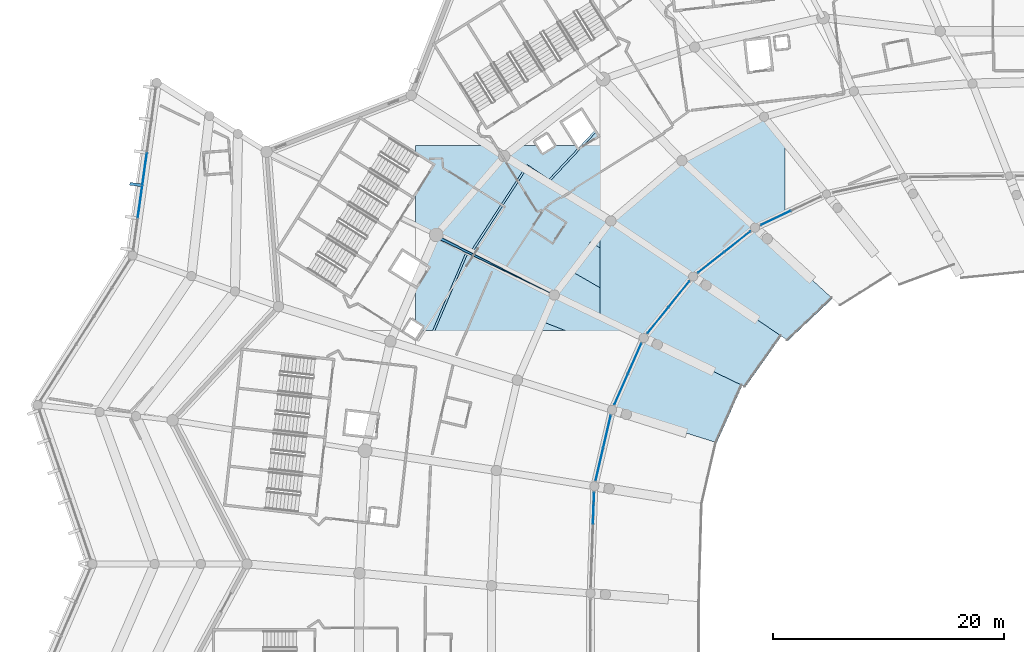
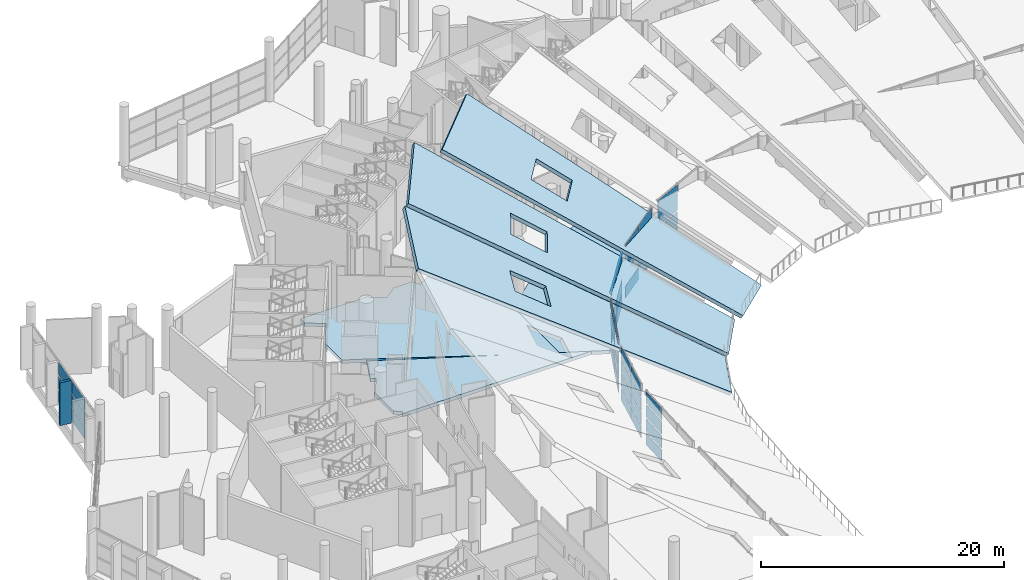
# One storey, part 121 of 249: 44 plates, 6 slabs, 7 elements without a shape of their own.
"""IFC4 building model written with IfcOpenShell, lengths in metres."""

from ifc_helpers import new_model, si_unit, direction, frame, origin, origin_2d, place, context, subcontext, project, spatial, polyline, rectangle, outline, extrude, material, layer, layer_set, type_object, element, aggregate, save


model = new_model("IFC4")

# Units and contexts
model_context = context("Model", 3, precision=1e-05, world=origin(), true_north=direction((0.0, 1.0)))
body_context = subcontext(model_context, "Body", "Model", "MODEL_VIEW")
ifc_project = project(units=[si_unit("LENGTHUNIT", "METRE"), si_unit("AREAUNIT", "SQUARE_METRE"), si_unit("VOLUMEUNIT", "CUBIC_METRE"), si_unit("PLANEANGLEUNIT", "RADIAN"), si_unit("MASSUNIT", "GRAM", prefix="KILO")], contexts=[model_context])

# Site, building, storey
site_placement = place(None, origin())
site = spatial("IfcSite", under=ifc_project, at=site_placement, CompositionType="ELEMENT")
building_placement = place(site_placement, origin())
building = spatial("IfcBuilding", under=site, at=building_placement, Name="Meseta Stadium", CompositionType="ELEMENT")
storey_placement = place(building_placement, frame((0.0, 0.0, 12.0)))
storey = spatial("IfcBuildingStorey", under=building, at=storey_placement, Name="L02", CompositionType="ELEMENT", Elevation=12.0)

# Curtain wall, plates
ifc_material_1 = material(Name="Aluminium", Category="aluminium")
ifc_layer_1 = layer(ifc_material_1, 0.199951171875)
ifc_layer_set_1 = layer_set([ifc_layer_1], Name="Suite glazing curtain wall")
curtain_wall_type_1 = type_object("IfcCurtainWallType", Name="Suite glazing curtain wall", PredefinedType="NOTDEFINED", material=ifc_layer_set_1)
curtain_wall_1_placement = place(storey_placement, origin())
curtain_wall_1 = element("IfcCurtainWall", 1, at=curtain_wall_1_placement, inside=storey, type_object=curtain_wall_type_1, Name="Suite glazing bay 23", PredefinedType="NOTDEFINED")
ifc_material_2 = material(Name="Glass", Category="glass")
ifc_layer_2 = layer(ifc_material_2, 0.035888671875)
ifc_layer_set_2 = layer_set([ifc_layer_2], Name="CW glass panel 36")
plate_type_1 = type_object("IfcPlateType", Name="CW glass panel 36", PredefinedType="CURTAIN_PANEL", material=ifc_layer_set_2)
plate_1_placement = place(storey_placement, frame((-48.77294921875, 73.737548828125, 0.14990234375), z_axis=(0.0, 0.0, 1.0), x_axis=(-0.904328409074, -0.426837356076, 0.0)))
plate_1 = element("IfcPlate", 2, at=plate_1_placement, type_object=plate_type_1, Name="CWS panel 2.1", PredefinedType="CURTAIN_PANEL", context=body_context, shape_type="SweptSolid", body=[
    extrude(rectangle(XDim=2.822509765625, YDim=0.035888671875, at=origin_2d()), origin(), (0.0, 0.0, 1.0), 1.1875),
])
plate_2_placement = place(storey_placement, frame((-48.77294921875, 73.737548828125, 1.4873046875), z_axis=(0.0, 0.0, 1.0), x_axis=(-0.904328409074, -0.426837356076, 0.0)))
plate_2 = element("IfcPlate", 3, at=plate_2_placement, type_object=plate_type_1, Name="CWS panel 2.2", PredefinedType="CURTAIN_PANEL", context=body_context, shape_type="SweptSolid", body=[
    extrude(rectangle(XDim=2.822509765625, YDim=0.035888671875, at=origin_2d()), origin(), (0.0, 0.0, 1.0), 1.262451171875),
])
plate_3_placement = place(storey_placement, frame((-48.77294921875, 73.737548828125, 2.89990234375), z_axis=(0.0, 0.0, 1.0), x_axis=(-0.904328409074, -0.426837356076, 0.0)))
plate_3 = element("IfcPlate", 4, at=plate_3_placement, type_object=plate_type_1, Name="CWS panel 2.3", PredefinedType="CURTAIN_PANEL", context=body_context, shape_type="SweptSolid", body=[
    extrude(rectangle(XDim=2.822509765625, YDim=0.035888671875, at=origin_2d()), origin(), (0.0, 0.0, 1.0), 2.60009765625),
])
aggregate(curtain_wall_1, [plate_1, plate_2, plate_3])

curtain_wall_2_placement = place(storey_placement, origin())
curtain_wall_2 = element("IfcCurtainWall", 5, at=curtain_wall_2_placement, inside=storey, type_object=curtain_wall_type_1, Name="Suite glazing bay 24", PredefinedType="NOTDEFINED")
plate_4_placement = place(storey_placement, frame((-52.11279296875, 71.67431640625, 0.14990234375), z_axis=(0.0, 0.0, 1.0), x_axis=(-0.785434917158, -0.61894425509, 0.0)))
plate_4 = element("IfcPlate", 6, at=plate_4_placement, type_object=plate_type_1, Name="CWS panel 1.1", PredefinedType="CURTAIN_PANEL", context=body_context, shape_type="SweptSolid", body=[
    extrude(rectangle(XDim=2.83349609375, YDim=0.035888671875, at=origin_2d()), origin(), (0.0, 0.0, 1.0), 1.1875),
])
plate_5_placement = place(storey_placement, frame((-52.11279296875, 71.67431640625, 1.4873046875), z_axis=(0.0, 0.0, 1.0), x_axis=(-0.785434917158, -0.61894425509, 0.0)))
plate_5 = element("IfcPlate", 7, at=plate_5_placement, type_object=plate_type_1, Name="CWS panel 1.2", PredefinedType="CURTAIN_PANEL", context=body_context, shape_type="SweptSolid", body=[
    extrude(rectangle(XDim=2.83349609375, YDim=0.035888671875, at=origin_2d()), origin(), (0.0, 0.0, 1.0), 1.262451171875),
])
plate_6_placement = place(storey_placement, frame((-52.11279296875, 71.67431640625, 2.89990234375), z_axis=(0.0, 0.0, 1.0), x_axis=(-0.785434917158, -0.61894425509, 0.0)))
plate_6 = element("IfcPlate", 8, at=plate_6_placement, type_object=plate_type_1, Name="CWS panel 1.3", PredefinedType="CURTAIN_PANEL", context=body_context, shape_type="SweptSolid", body=[
    extrude(rectangle(XDim=2.83349609375, YDim=0.035888671875, at=origin_2d()), origin(), (0.0, 0.0, 1.0), 2.60009765625),
])
plate_7_placement = place(storey_placement, frame((-54.385498046875, 69.88330078125, 0.14990234375), z_axis=(0.0, 0.0, 1.0), x_axis=(-0.785434917158, -0.61894425509, 0.0)))
plate_7 = element("IfcPlate", 9, at=plate_7_placement, type_object=plate_type_1, Name="CWS panel 2.1", PredefinedType="CURTAIN_PANEL", context=body_context, shape_type="SweptSolid", body=[
    extrude(rectangle(XDim=2.83349609375, YDim=0.035888671875, at=origin_2d()), origin(), (0.0, 0.0, 1.0), 1.1875),
])
plate_8_placement = place(storey_placement, frame((-54.385498046875, 69.88330078125, 1.4873046875), z_axis=(0.0, 0.0, 1.0), x_axis=(-0.785434917158, -0.61894425509, 0.0)))
plate_8 = element("IfcPlate", 10, at=plate_8_placement, type_object=plate_type_1, Name="CWS panel 2.2", PredefinedType="CURTAIN_PANEL", context=body_context, shape_type="SweptSolid", body=[
    extrude(rectangle(XDim=2.83349609375, YDim=0.035888671875, at=origin_2d()), origin(), (0.0, 0.0, 1.0), 1.262451171875),
])
plate_9_placement = place(storey_placement, frame((-54.385498046875, 69.88330078125, 2.89990234375), z_axis=(0.0, 0.0, 1.0), x_axis=(-0.785434917158, -0.61894425509, 0.0)))
plate_9 = element("IfcPlate", 11, at=plate_9_placement, type_object=plate_type_1, Name="CWS panel 2.3", PredefinedType="CURTAIN_PANEL", context=body_context, shape_type="SweptSolid", body=[
    extrude(rectangle(XDim=2.83349609375, YDim=0.035888671875, at=origin_2d()), origin(), (0.0, 0.0, 1.0), 2.60009765625),
])
aggregate(curtain_wall_2, [plate_4, plate_5, plate_6, plate_7, plate_8, plate_9])

curtain_wall_3_placement = place(storey_placement, origin())
curtain_wall_3 = element("IfcCurtainWall", 12, at=curtain_wall_3_placement, inside=storey, type_object=curtain_wall_type_1, Name="Suite glazing bay 25", PredefinedType="NOTDEFINED")
plate_10_placement = place(storey_placement, frame((-57.1689453125, 67.12939453125, 0.14990234375), z_axis=(0.0, 0.0, 1.0), x_axis=(-0.626460054791, -0.779453526357, 0.0)))
plate_10 = element("IfcPlate", 13, at=plate_10_placement, type_object=plate_type_1, Name="CWS panel 1.1", PredefinedType="CURTAIN_PANEL", context=body_context, shape_type="SweptSolid", body=[
    extrude(rectangle(XDim=2.84130859375, YDim=0.035888671875, at=origin_2d()), origin(), (0.0, 0.0, 1.0), 1.1875),
])
plate_11_placement = place(storey_placement, frame((-57.1689453125, 67.12939453125, 1.4873046875), z_axis=(0.0, 0.0, 1.0), x_axis=(-0.626460054791, -0.779453526357, 0.0)))
plate_11 = element("IfcPlate", 14, at=plate_11_placement, type_object=plate_type_1, Name="CWS panel 1.2", PredefinedType="CURTAIN_PANEL", context=body_context, shape_type="SweptSolid", body=[
    extrude(rectangle(XDim=2.84130859375, YDim=0.035888671875, at=origin_2d()), origin(), (0.0, 0.0, 1.0), 1.262451171875),
])
plate_12_placement = place(storey_placement, frame((-57.1689453125, 67.12939453125, 2.89990234375), z_axis=(0.0, 0.0, 1.0), x_axis=(-0.626460054791, -0.779453526357, 0.0)))
plate_12 = element("IfcPlate", 15, at=plate_12_placement, type_object=plate_type_1, Name="CWS panel 1.3", PredefinedType="CURTAIN_PANEL", context=body_context, shape_type="SweptSolid", body=[
    extrude(rectangle(XDim=2.84130859375, YDim=0.035888671875, at=origin_2d()), origin(), (0.0, 0.0, 1.0), 2.332275390625),
])
plate_13_placement = place(storey_placement, frame((-57.1689453125, 67.12939453125, 5.38232421875), z_axis=(0.0, 0.0, 1.0), x_axis=(-0.626460054791, -0.779453526357, 0.0)))
plate_13 = element("IfcPlate", 16, at=plate_13_placement, type_object=plate_type_1, Name="CWS panel 1.4", PredefinedType="CURTAIN_PANEL", context=body_context, shape_type="SweptSolid", body=[
    extrude(rectangle(XDim=2.84130859375, YDim=0.035888671875, at=origin_2d()), origin(), (0.0, 0.0, 1.0), 0.11767578125),
])
plate_14_placement = place(storey_placement, frame((-58.986572265625, 64.867919921875, 0.14990234375), z_axis=(0.0, 0.0, 1.0), x_axis=(-0.626460054791, -0.779453526357, 0.0)))
plate_14 = element("IfcPlate", 17, at=plate_14_placement, type_object=plate_type_1, Name="CWS panel 2.1", PredefinedType="CURTAIN_PANEL", context=body_context, shape_type="SweptSolid", body=[
    extrude(rectangle(XDim=2.84130859375, YDim=0.035888671875, at=origin_2d()), origin(), (0.0, 0.0, 1.0), 1.1875),
])
plate_15_placement = place(storey_placement, frame((-58.986572265625, 64.867919921875, 1.4873046875), z_axis=(0.0, 0.0, 1.0), x_axis=(-0.626460054791, -0.779453526357, 0.0)))
plate_15 = element("IfcPlate", 18, at=plate_15_placement, type_object=plate_type_1, Name="CWS panel 2.2", PredefinedType="CURTAIN_PANEL", context=body_context, shape_type="SweptSolid", body=[
    extrude(rectangle(XDim=2.84130859375, YDim=0.035888671875, at=origin_2d()), origin(), (0.0, 0.0, 1.0), 1.262451171875),
])
plate_16_placement = place(storey_placement, frame((-58.986572265625, 64.867919921875, 2.89990234375), z_axis=(0.0, 0.0, 1.0), x_axis=(-0.626460054791, -0.779453526357, 0.0)))
plate_16 = element("IfcPlate", 19, at=plate_16_placement, type_object=plate_type_1, Name="CWS panel 2.3", PredefinedType="CURTAIN_PANEL", context=body_context, shape_type="SweptSolid", body=[
    extrude(rectangle(XDim=2.84130859375, YDim=0.035888671875, at=origin_2d()), origin(), (0.0, 0.0, 1.0), 2.332275390625),
])
plate_17_placement = place(storey_placement, frame((-58.986572265625, 64.867919921875, 5.38232421875), z_axis=(0.0, 0.0, 1.0), x_axis=(-0.626460054791, -0.779453526357, 0.0)))
plate_17 = element("IfcPlate", 20, at=plate_17_placement, type_object=plate_type_1, Name="CWS panel 2.4", PredefinedType="CURTAIN_PANEL", context=body_context, shape_type="SweptSolid", body=[
    extrude(rectangle(XDim=2.84130859375, YDim=0.035888671875, at=origin_2d()), origin(), (0.0, 0.0, 1.0), 0.11767578125),
])
aggregate(curtain_wall_3, [plate_10, plate_11, plate_12, plate_13, plate_14, plate_15, plate_16, plate_17])

curtain_wall_4_placement = place(storey_placement, origin())
curtain_wall_4 = element("IfcCurtainWall", 21, at=curtain_wall_4_placement, inside=storey, type_object=curtain_wall_type_1, Name="Suite glazing bay 26", PredefinedType="NOTDEFINED")
plate_18_placement = place(storey_placement, frame((-61.009765625, 61.54150390625, 0.14990234375), z_axis=(0.0, 0.0, 1.0), x_axis=(-0.402983317466, -0.915207323968, 0.0)))
plate_18 = element("IfcPlate", 22, at=plate_18_placement, type_object=plate_type_1, Name="CWS panel 1.1", PredefinedType="CURTAIN_PANEL", context=body_context, shape_type="SweptSolid", body=[
    extrude(rectangle(XDim=2.8310546875, YDim=0.035888671875, at=origin_2d()), origin(), (0.0, 0.0, 1.0), 1.1875),
])
plate_19_placement = place(storey_placement, frame((-61.009765625, 61.54150390625, 1.4873046875), z_axis=(0.0, 0.0, 1.0), x_axis=(-0.402983317466, -0.915207323968, 0.0)))
plate_19 = element("IfcPlate", 23, at=plate_19_placement, type_object=plate_type_1, Name="CWS panel 1.2", PredefinedType="CURTAIN_PANEL", context=body_context, shape_type="SweptSolid", body=[
    extrude(rectangle(XDim=2.8310546875, YDim=0.035888671875, at=origin_2d()), origin(), (0.0, 0.0, 1.0), 1.262451171875),
])
plate_20_placement = place(storey_placement, frame((-61.009765625, 61.54150390625, 2.89990234375), z_axis=(0.0, 0.0, 1.0), x_axis=(-0.402983317466, -0.915207323968, 0.0)))
plate_20 = element("IfcPlate", 24, at=plate_20_placement, type_object=plate_type_1, Name="CWS panel 1.3", PredefinedType="CURTAIN_PANEL", context=body_context, shape_type="SweptSolid", body=[
    extrude(rectangle(XDim=2.8310546875, YDim=0.035888671875, at=origin_2d()), origin(), (0.0, 0.0, 1.0), 1.262451171875),
])
plate_21_placement = place(storey_placement, frame((-61.009765625, 61.54150390625, 4.3125), z_axis=(0.0, 0.0, 1.0), x_axis=(-0.402983317466, -0.915207323968, 0.0)))
plate_21 = element("IfcPlate", 25, at=plate_21_placement, type_object=plate_type_1, Name="CWS panel 1.4", PredefinedType="CURTAIN_PANEL", context=body_context, shape_type="SweptSolid", body=[
    extrude(rectangle(XDim=2.8310546875, YDim=0.035888671875, at=origin_2d()), origin(), (0.0, 0.0, 1.0), 1.1875),
])
plate_22_placement = place(storey_placement, frame((-62.1748046875, 58.895751953125, 0.14990234375), z_axis=(0.0, 0.0, 1.0), x_axis=(-0.402983317466, -0.915207323968, 0.0)))
plate_22 = element("IfcPlate", 26, at=plate_22_placement, type_object=plate_type_1, Name="CWS panel 2.1", PredefinedType="CURTAIN_PANEL", context=body_context, shape_type="SweptSolid", body=[
    extrude(rectangle(XDim=2.8310546875, YDim=0.035888671875, at=origin_2d()), origin(), (0.0, 0.0, 1.0), 1.1875),
])
plate_23_placement = place(storey_placement, frame((-62.1748046875, 58.895751953125, 1.4873046875), z_axis=(0.0, 0.0, 1.0), x_axis=(-0.402983317466, -0.915207323968, 0.0)))
plate_23 = element("IfcPlate", 27, at=plate_23_placement, type_object=plate_type_1, Name="CWS panel 2.2", PredefinedType="CURTAIN_PANEL", context=body_context, shape_type="SweptSolid", body=[
    extrude(rectangle(XDim=2.8310546875, YDim=0.035888671875, at=origin_2d()), origin(), (0.0, 0.0, 1.0), 1.262451171875),
])
plate_24_placement = place(storey_placement, frame((-62.1748046875, 58.895751953125, 2.89990234375), z_axis=(0.0, 0.0, 1.0), x_axis=(-0.402983317466, -0.915207323968, 0.0)))
plate_24 = element("IfcPlate", 28, at=plate_24_placement, type_object=plate_type_1, Name="CWS panel 2.3", PredefinedType="CURTAIN_PANEL", context=body_context, shape_type="SweptSolid", body=[
    extrude(rectangle(XDim=2.8310546875, YDim=0.035888671875, at=origin_2d()), origin(), (0.0, 0.0, 1.0), 1.262451171875),
])
plate_25_placement = place(storey_placement, frame((-62.1748046875, 58.895751953125, 4.3125), z_axis=(0.0, 0.0, 1.0), x_axis=(-0.402983317466, -0.915207323968, 0.0)))
plate_25 = element("IfcPlate", 29, at=plate_25_placement, type_object=plate_type_1, Name="CWS panel 2.4", PredefinedType="CURTAIN_PANEL", context=body_context, shape_type="SweptSolid", body=[
    extrude(rectangle(XDim=2.8310546875, YDim=0.035888671875, at=origin_2d()), origin(), (0.0, 0.0, 1.0), 1.1875),
])
aggregate(curtain_wall_4, [plate_18, plate_19, plate_20, plate_21, plate_22, plate_23, plate_24, plate_25])

curtain_wall_5_placement = place(storey_placement, origin())
curtain_wall_5 = element("IfcCurtainWall", 30, at=curtain_wall_5_placement, inside=storey, type_object=curtain_wall_type_1, Name="Suite glazing bay 27", PredefinedType="NOTDEFINED")
plate_26_placement = place(storey_placement, frame((-63.40576171875, 55.19970703125, 0.14990234375), z_axis=(0.0, 0.0, 1.0), x_axis=(-0.226148413492, -0.974092857522, 0.0)))
plate_26 = element("IfcPlate", 31, at=plate_26_placement, type_object=plate_type_1, Name="CWS panel 1.1", PredefinedType="CURTAIN_PANEL", context=body_context, shape_type="SweptSolid", body=[
    extrude(rectangle(XDim=2.830322265625, YDim=0.035888671875, at=origin_2d()), origin(), (0.0, 0.0, 1.0), 1.1875),
])
plate_27_placement = place(storey_placement, frame((-63.40576171875, 55.19970703125, 1.4873046875), z_axis=(0.0, 0.0, 1.0), x_axis=(-0.226148413492, -0.974092857522, 0.0)))
plate_27 = element("IfcPlate", 32, at=plate_27_placement, type_object=plate_type_1, Name="CWS panel 1.2", PredefinedType="CURTAIN_PANEL", context=body_context, shape_type="SweptSolid", body=[
    extrude(rectangle(XDim=2.830322265625, YDim=0.035888671875, at=origin_2d()), origin(), (0.0, 0.0, 1.0), 1.262451171875),
])
plate_28_placement = place(storey_placement, frame((-63.40576171875, 55.19970703125, 2.89990234375), z_axis=(0.0, 0.0, 1.0), x_axis=(-0.226148413492, -0.974092857522, 0.0)))
plate_28 = element("IfcPlate", 33, at=plate_28_placement, type_object=plate_type_1, Name="CWS panel 1.3", PredefinedType="CURTAIN_PANEL", context=body_context, shape_type="SweptSolid", body=[
    extrude(rectangle(XDim=2.830322265625, YDim=0.035888671875, at=origin_2d()), origin(), (0.0, 0.0, 1.0), 1.262451171875),
])
plate_29_placement = place(storey_placement, frame((-63.40576171875, 55.19970703125, 4.3125), z_axis=(0.0, 0.0, 1.0), x_axis=(-0.226148413492, -0.974092857522, 0.0)))
plate_29 = element("IfcPlate", 34, at=plate_29_placement, type_object=plate_type_1, Name="CWS panel 1.4", PredefinedType="CURTAIN_PANEL", context=body_context, shape_type="SweptSolid", body=[
    extrude(rectangle(XDim=2.830322265625, YDim=0.035888671875, at=origin_2d()), origin(), (0.0, 0.0, 1.0), 1.1875),
])
plate_30_placement = place(storey_placement, frame((-64.0595703125, 52.38427734375, 0.14990234375), z_axis=(0.0, 0.0, 1.0), x_axis=(-0.226148413492, -0.974092857522, 0.0)))
plate_30 = element("IfcPlate", 35, at=plate_30_placement, type_object=plate_type_1, Name="CWS panel 2.1", PredefinedType="CURTAIN_PANEL", context=body_context, shape_type="SweptSolid", body=[
    extrude(rectangle(XDim=2.830322265625, YDim=0.035888671875, at=origin_2d()), origin(), (0.0, 0.0, 1.0), 1.1875),
])
plate_31_placement = place(storey_placement, frame((-64.0595703125, 52.38427734375, 1.4873046875), z_axis=(0.0, 0.0, 1.0), x_axis=(-0.226148413492, -0.974092857522, 0.0)))
plate_31 = element("IfcPlate", 36, at=plate_31_placement, type_object=plate_type_1, Name="CWS panel 2.2", PredefinedType="CURTAIN_PANEL", context=body_context, shape_type="SweptSolid", body=[
    extrude(rectangle(XDim=2.830322265625, YDim=0.035888671875, at=origin_2d()), origin(), (0.0, 0.0, 1.0), 1.262451171875),
])
plate_32_placement = place(storey_placement, frame((-64.0595703125, 52.38427734375, 2.89990234375), z_axis=(0.0, 0.0, 1.0), x_axis=(-0.226148413492, -0.974092857522, 0.0)))
plate_32 = element("IfcPlate", 37, at=plate_32_placement, type_object=plate_type_1, Name="CWS panel 2.3", PredefinedType="CURTAIN_PANEL", context=body_context, shape_type="SweptSolid", body=[
    extrude(rectangle(XDim=2.830322265625, YDim=0.035888671875, at=origin_2d()), origin(), (0.0, 0.0, 1.0), 1.262451171875),
])
plate_33_placement = place(storey_placement, frame((-64.0595703125, 52.38427734375, 4.3125), z_axis=(0.0, 0.0, 1.0), x_axis=(-0.226148413492, -0.974092857522, 0.0)))
plate_33 = element("IfcPlate", 38, at=plate_33_placement, type_object=plate_type_1, Name="CWS panel 2.4", PredefinedType="CURTAIN_PANEL", context=body_context, shape_type="SweptSolid", body=[
    extrude(rectangle(XDim=2.830322265625, YDim=0.035888671875, at=origin_2d()), origin(), (0.0, 0.0, 1.0), 1.1875),
])
aggregate(curtain_wall_5, [plate_26, plate_27, plate_28, plate_29, plate_30, plate_31, plate_32, plate_33])

curtain_wall_6_placement = place(storey_placement, origin())
curtain_wall_6 = element("IfcCurtainWall", 39, at=curtain_wall_6_placement, inside=storey, type_object=curtain_wall_type_1, Name="Suite glazing bay 28", PredefinedType="NOTDEFINED")
plate_34_placement = place(storey_placement, frame((-64.568359375, 48.5966796875, 0.14990234375), z_axis=(0.0, 0.0, 1.0), x_axis=(-0.035370706156, -0.999374260798, 0.0)))
plate_34 = element("IfcPlate", 40, at=plate_34_placement, type_object=plate_type_1, Name="CWS panel 1.1", PredefinedType="CURTAIN_PANEL", context=body_context, shape_type="SweptSolid", body=[
    extrude(rectangle(XDim=2.68310546875, YDim=0.035888671875, at=origin_2d()), origin(), (0.0, 0.0, 1.0), 1.1875),
])
plate_35_placement = place(storey_placement, frame((-64.568359375, 48.5966796875, 1.4873046875), z_axis=(0.0, 0.0, 1.0), x_axis=(-0.035370706156, -0.999374260798, 0.0)))
plate_35 = element("IfcPlate", 41, at=plate_35_placement, type_object=plate_type_1, Name="CWS panel 1.2", PredefinedType="CURTAIN_PANEL", context=body_context, shape_type="SweptSolid", body=[
    extrude(rectangle(XDim=2.68310546875, YDim=0.035888671875, at=origin_2d()), origin(), (0.0, 0.0, 1.0), 1.262451171875),
])
plate_36_placement = place(storey_placement, frame((-64.568359375, 48.5966796875, 2.89990234375), z_axis=(0.0, 0.0, 1.0), x_axis=(-0.035370706156, -0.999374260798, 0.0)))
plate_36 = element("IfcPlate", 42, at=plate_36_placement, type_object=plate_type_1, Name="CWS panel 1.3", PredefinedType="CURTAIN_PANEL", context=body_context, shape_type="SweptSolid", body=[
    extrude(rectangle(XDim=2.68310546875, YDim=0.035888671875, at=origin_2d()), origin(), (0.0, 0.0, 1.0), 1.262451171875),
])
plate_37_placement = place(storey_placement, frame((-64.568359375, 48.5966796875, 4.3125), z_axis=(0.0, 0.0, 1.0), x_axis=(-0.035370706156, -0.999374260798, 0.0)))
plate_37 = element("IfcPlate", 43, at=plate_37_placement, type_object=plate_type_1, Name="CWS panel 1.4", PredefinedType="CURTAIN_PANEL", context=body_context, shape_type="SweptSolid", body=[
    extrude(rectangle(XDim=2.68310546875, YDim=0.035888671875, at=origin_2d()), origin(), (0.0, 0.0, 1.0), 1.1875),
])
aggregate(curtain_wall_6, [plate_34, plate_35, plate_36, plate_37])

# Slabs
ifc_material_3 = material(Name="Concrete C40/50", Category="concrete")
ifc_layer_3 = layer(ifc_material_3, 0.35009765625)
ifc_layer_set_3 = layer_set([ifc_layer_3], Name="Floor slab 350")
slab_type_1 = type_object("IfcSlabType", Name="Floor slab 350", PredefinedType="FLOOR", material=ifc_layer_set_3)
slab_1_placement = place(storey_placement, frame((0.0, 0.0, -0.35009765625)))
element("IfcSlab", 44, at=slab_1_placement, inside=storey, type_object=slab_type_1, Name="Floor slab L02 sector 21 panel 05", PredefinedType="FLOOR", context=body_context, shape_type="SweptSolid", body=[
    extrude(outline(polyline([(-67.973388671875, 67.058349609375), (-78.197998046875, 72.27197265625), (-78.303466796875, 72.0263671875), (-67.973388671875, 67.058349609375)])), origin(), (0.0, 0.0, 1.0), 0.35009765625),
])
slab_2_placement = place(storey_placement, frame((0.0, 0.0, -0.35009765625)))
element("IfcSlab", 45, at=slab_2_placement, inside=storey, type_object=slab_type_1, Name="Floor slab L02 sector 21 panel 06", PredefinedType="FLOOR", context=body_context, shape_type="SweptSolid", body=[
    extrude(outline(polyline([(-67.967041015625, 79.9794921875), (-68.983154296875, 79.341064453125), (-69.397216796875, 80.0), (-71.144287109375, 80.0), (-72.31201171875, 79.091064453125), (-73.699951171875, 80.0), (-80.0, 80.0), (-80.0, 79.276611328125), (-78.505859375, 78.337646484375), (-80.0, 75.959716796875), (-80.0, 73.154296875), (-78.197998046875, 72.27197265625), (-67.972412109375, 67.057861328125), (-78.303466796875, 72.0263671875), (-79.308349609375, 69.68896484375), (-78.903564453125, 69.4345703125), (-79.914306640625, 67.82568359375), (-80.0, 67.879638671875), (-80.0, 64.69091796875), (-79.361083984375, 64.289306640625), (-79.54296875, 64.0), (-61.6142578125, 64.0), (-64.0, 65.1474609375), (-64.0, 72.251708984375), (-63.068115234375, 73.469970703125), (-64.0, 74.098876953125), (-64.0, 80.0), (-65.585205078125, 80.0), (-65.86279296875, 79.82568359375), (-65.972412109375, 80.0), (-67.97998046875, 80.0), (-67.967041015625, 79.9794921875)])), origin(), (0.0, 0.0, 1.0), 0.35009765625),
])
slab_3_placement = place(storey_placement, frame((0.0, 0.0, -0.35009765625)))
element("IfcSlab", 46, at=slab_3_placement, inside=storey, type_object=slab_type_1, Name="Floor slab L02 sector 21 panel 11", PredefinedType="FLOOR", context=body_context, shape_type="SweptSolid", body=[
    extrude(outline(polyline([(-48.0, 80.0), (-47.7744140625, 80.0), (-49.791015625, 82.498779296875), (-56.9150390625, 78.69580078125), (-63.068115234375, 73.469970703125), (-64.0, 72.251708984375), (-64.0, 65.1474609375), (-60.22216796875, 63.33056640625), (-59.593994140625, 64.28369140625), (-58.930419921875, 65.21240234375), (-58.232177734375, 66.115478515625), (-57.50048828125, 66.99169921875), (-56.736083984375, 67.839599609375), (-55.940185546875, 68.658203125), (-55.1142578125, 69.446044921875), (-54.259033203125, 70.2021484375), (-53.375732421875, 70.925537109375), (-52.466064453125, 71.614990234375), (-51.53076171875, 72.269775390625), (-50.571533203125, 72.888916015625), (-49.589599609375, 73.47119140625), (-48.58642578125, 74.01611328125), (-48.0, 74.306396484375), (-48.0, 80.0)])), origin(), (0.0, 0.0, 1.0), 0.35009765625),
])

# Curtain wall, plates
ifc_material_4 = material(Name="Aluminium", Category="aluminium")
ifc_layer_4 = layer(ifc_material_4, 0.199951171875)
ifc_layer_set_4 = layer_set([ifc_layer_4], Name="Ring shopfront curtain wall")
curtain_wall_type_2 = type_object("IfcCurtainWallType", Name="Ring shopfront curtain wall", PredefinedType="NOTDEFINED", material=ifc_layer_set_4)
curtain_wall_7_placement = place(storey_placement, origin())
curtain_wall_7 = element("IfcCurtainWall", 47, at=curtain_wall_7_placement, inside=storey, type_object=curtain_wall_type_2, Name="Ring glazing L02 F26", PredefinedType="NOTDEFINED")
ifc_material_5 = material(Name="Glass", Category="glass")
ifc_layer_5 = layer(ifc_material_5, 0.035888671875)
ifc_layer_set_5 = layer_set([ifc_layer_5], Name="Ring CW glass panel 36")
plate_type_2 = type_object("IfcPlateType", Name="Ring CW glass panel 36", PredefinedType="CURTAIN_PANEL", material=ifc_layer_set_5)
plate_38_placement = place(storey_placement, frame((-103.472412109375, 77.96533203125, 0.14990234375), z_axis=(0.0, 0.0, 1.0), x_axis=(-0.13864277713, -0.990342456098, 0.0)))
plate_38 = element("IfcPlate", 48, at=plate_38_placement, type_object=plate_type_2, Name="CWR1 panel 3.1", PredefinedType="CURTAIN_PANEL", context=body_context, shape_type="SweptSolid", body=[
    extrude(rectangle(XDim=2.804443359375, YDim=0.035888671875, at=origin_2d()), origin(), (0.0, 0.0, 1.0), 1.208251953125),
])
plate_39_placement = place(storey_placement, frame((-103.472412109375, 77.96533203125, 1.50830078125), z_axis=(0.0, 0.0, 1.0), x_axis=(-0.13864277713, -0.990342456098, 0.0)))
plate_39 = element("IfcPlate", 49, at=plate_39_placement, type_object=plate_type_2, Name="CWR1 panel 3.2", PredefinedType="CURTAIN_PANEL", context=body_context, shape_type="SweptSolid", body=[
    extrude(rectangle(XDim=2.804443359375, YDim=0.035888671875, at=origin_2d()), origin(), (0.0, 0.0, 1.0), 1.283447265625),
])
plate_40_placement = place(storey_placement, frame((-103.472412109375, 77.96533203125, 2.94189453125), z_axis=(0.0, 0.0, 1.0), x_axis=(-0.13864277713, -0.990342456098, 0.0)))
plate_40 = element("IfcPlate", 50, at=plate_40_placement, type_object=plate_type_2, Name="CWR1 panel 3.3", PredefinedType="CURTAIN_PANEL", context=body_context, shape_type="SweptSolid", body=[
    extrude(rectangle(XDim=2.804443359375, YDim=0.035888671875, at=origin_2d()), origin(), (0.0, 0.0, 1.0), 1.208251953125),
])
plate_41_placement = place(storey_placement, frame((-103.86962890625, 75.128662109375, 0.14990234375), z_axis=(0.0, 0.0, 1.0), x_axis=(-0.13864277713, -0.990342456098, 0.0)))
plate_41 = element("IfcPlate", 51, at=plate_41_placement, type_object=plate_type_2, Name="CWR1 panel 4.1", PredefinedType="CURTAIN_PANEL", context=body_context, shape_type="SweptSolid", body=[
    extrude(rectangle(XDim=2.804443359375, YDim=0.035888671875, at=origin_2d()), origin(), (0.0, 0.0, 1.0), 1.208251953125),
])
plate_42_placement = place(storey_placement, frame((-103.86962890625, 75.128662109375, 1.50830078125), z_axis=(0.0, 0.0, 1.0), x_axis=(-0.13864277713, -0.990342456098, 0.0)))
plate_42 = element("IfcPlate", 52, at=plate_42_placement, type_object=plate_type_2, Name="CWR1 panel 4.2", PredefinedType="CURTAIN_PANEL", context=body_context, shape_type="SweptSolid", body=[
    extrude(rectangle(XDim=2.804443359375, YDim=0.035888671875, at=origin_2d()), origin(), (0.0, 0.0, 1.0), 1.283447265625),
])
plate_43_placement = place(storey_placement, frame((-103.86962890625, 75.128662109375, 2.94189453125), z_axis=(0.0, 0.0, 1.0), x_axis=(-0.13864277713, -0.990342456098, 0.0)))
plate_43 = element("IfcPlate", 53, at=plate_43_placement, type_object=plate_type_2, Name="CWR1 panel 4.3", PredefinedType="CURTAIN_PANEL", context=body_context, shape_type="SweptSolid", body=[
    extrude(rectangle(XDim=2.804443359375, YDim=0.035888671875, at=origin_2d()), origin(), (0.0, 0.0, 1.0), 1.208251953125),
])
aggregate(curtain_wall_7, [plate_38, plate_39, plate_40, plate_41, plate_42, plate_43])

# Plate
ifc_material_6 = material(Name="Precast concrete C40/50", Category="concrete")
ifc_layer_6 = layer(ifc_material_6, 0.25)
ifc_layer_set_6 = layer_set([ifc_layer_6], Name="Ring brise-soleil fin 250x1000")
plate_type_3 = type_object("IfcPlateType", Name="Ring brise-soleil fin 250x1000", PredefinedType="USERDEFINED", material=ifc_layer_set_6)
plate_44_placement = place(storey_placement, frame((-104.26513671875, 76.63037109375, 0.0), z_axis=(0.0, 0.0, 1.0), x_axis=(-0.138640750978, -0.990342739746, 0.0)))
element("IfcPlate", 54, at=plate_44_placement, inside=storey, type_object=plate_type_3, Name="Brise-soleil fin L02 F26.4", ObjectType="FIN", PredefinedType="USERDEFINED", context=body_context, shape_type="SweptSolid", body=[
    extrude(rectangle(XDim=0.25, YDim=1.0, at=origin_2d()), origin(), (0.0, 0.0, 1.0), 4.300048828125),
])

# Slabs
ifc_material_7 = material(Name="Concrete C40/50", Category="concrete")
ifc_layer_7 = layer(ifc_material_7, 0.35009765625)
ifc_layer_set_7 = layer_set([ifc_layer_7], Name="Seating tier 350")
slab_type_2 = type_object("IfcSlabType", Name="Seating tier 350", PredefinedType="USERDEFINED", material=ifc_layer_set_7)
slab_4_placement = place(storey_placement, frame((-43.87158203125, 66.755615234375, -1.241455078125), z_axis=(0.416651214715, -0.327561343336, 0.848000785158), x_axis=(-0.625991923579, 0.573040686331, 0.528922001267)))
element("IfcSlab", 55, at=slab_4_placement, inside=storey, type_object=slab_type_2, Name="Stand upper tier bay 25", ObjectType="SEATING TIER", PredefinedType="USERDEFINED", context=body_context, shape_type="SweptSolid", body=[
    extrude(outline(polyline([(0.0, 0.0), (29.222340454959856, -1.1102230246251565e-16), (29.57109576161473, 8.939759068162799), (0.5757892499769485, 5.292690164713425), (0.0, 0.0)]), holes=[polyline([(18.22412109375, 2.26708984375), (21.754638671875, 2.491943359375), (21.56396484375, 5.486083984375), (18.033447265625, 5.26123046875), (18.22412109375, 2.26708984375)])]), origin(), (0.0, 0.0, -1.0), 0.35009765625),
])
slab_5_placement = place(storey_placement, frame((-48.296142578125, 63.497802734375, -1.160400390625), z_axis=(0.459888351399, -0.263447583447, 0.847996506492), x_axis=(-0.70337366512, 0.474822863196, 0.528969503659)))
element("IfcSlab", 56, at=slab_5_placement, inside=storey, type_object=slab_type_2, Name="Stand upper tier bay 26", ObjectType="SEATING TIER", PredefinedType="USERDEFINED", context=body_context, shape_type="SweptSolid", body=[
    extrude(outline(polyline([(0.0, 0.0), (31.108390563468767, -5.551115123125783e-16), (31.14203551278021, 9.228728410401573), (0.26920322834328647, 5.397753161242907), (0.0, 0.0)]), holes=[polyline([(18.0712890625, 2.304443359375), (21.602294921875, 2.525390625), (21.4150390625, 5.51953125), (17.884033203125, 5.298828125), (18.0712890625, 2.304443359375)])]), origin(), (0.0, 0.0, -1.0), 0.35009765625),
])
slab_6_placement = place(storey_placement, frame((-51.677978515625, 59.221435546875, -1.076904296875), z_axis=(0.493034340941, -0.194461392393, 0.847998765047), x_axis=(-0.764778458806, 0.367804148129, 0.528993400304)))
element("IfcSlab", 57, at=slab_6_placement, inside=storey, type_object=slab_type_2, Name="Stand upper tier bay 27", ObjectType="SEATING TIER", PredefinedType="USERDEFINED", context=body_context, shape_type="SweptSolid", body=[
    extrude(outline(polyline([(0.0, 0.0), (31.10928509286415, 7.771561172376096e-16), (30.832063742600695, 9.238752772357437), (-0.044315175160026934, 5.435730225344294), (0.0, 0.0)]), holes=[polyline([(17.6796875, 2.30126953125), (21.2109375, 2.518798828125), (21.026123046875, 5.51318359375), (17.4951171875, 5.29541015625), (17.6796875, 2.30126953125)])]), origin(), (0.0, 0.0, -1.0), 0.35009765625),
])

save(model, "model.ifc")
